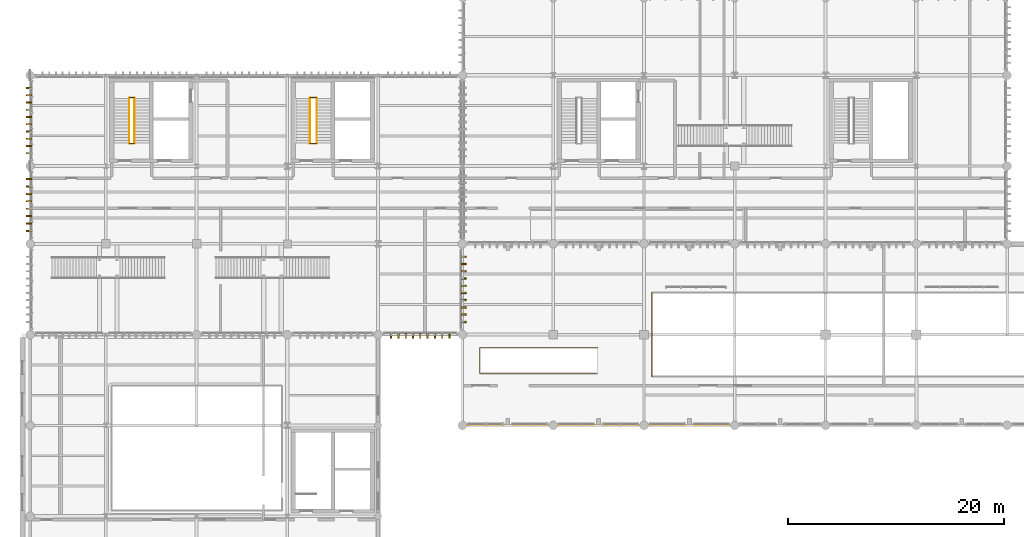
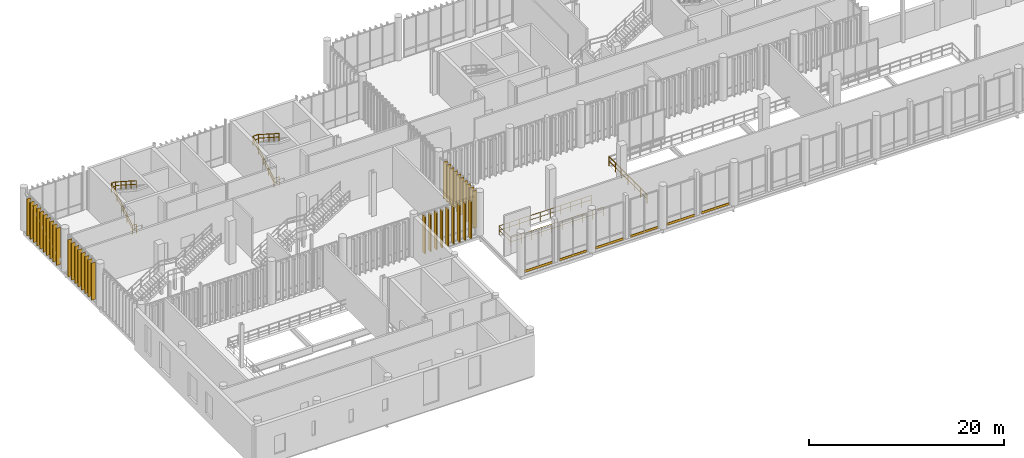
# One storey, part 120 of 128: 43 coverings, 10 railings.
"""IFC4 building model written with IfcOpenShell, lengths in metres."""

from ifc_helpers import new_model, si_unit, direction, frame, frame_2d, origin_with_axes, origin_2d_with_axis, place, context, subcontext, project, spatial, rectangle, circle, extrude, material, type_object, element, save


model = new_model("IFC4")

# Units and contexts
model_context = context("Model", 3, precision=1e-05, world=origin_with_axes(), true_north=direction((0.0, 1.0)))
body_context = subcontext(model_context, "Body", "Model", "MODEL_VIEW")
ifc_project = project(units=[si_unit("LENGTHUNIT", "METRE"), si_unit("AREAUNIT", "SQUARE_METRE"), si_unit("VOLUMEUNIT", "CUBIC_METRE"), si_unit("PLANEANGLEUNIT", "RADIAN"), si_unit("MASSUNIT", "GRAM", prefix="KILO"), si_unit("THERMODYNAMICTEMPERATUREUNIT", "KELVIN")], contexts=[model_context])

# Site, building, storey
site_placement = place(None, origin_with_axes())
site = spatial("IfcSite", under=ifc_project, at=site_placement, CompositionType="ELEMENT")
building_placement = place(site_placement, origin_with_axes())
building = spatial("IfcBuilding", under=site, at=building_placement, Name="Montbau Bow Law Courts", CompositionType="ELEMENT")
storey_placement = place(building_placement, frame((0.0, 0.0, 5.4), z_axis=(0.0, 0.0, 1.0), x_axis=(1.0, 0.0, 0.0)))
storey = spatial("IfcBuildingStorey", under=building, at=storey_placement, Name="L01", CompositionType="ELEMENT", Elevation=5.4)

# Coverings
ifc_material_1 = material(Name="Polychrome Catalan Trencadis Glazed Ceramic Spandrel Cladding", Category="masonry")
covering_type_1 = type_object("IfcCoveringType", Name="CV-CLD-01", PredefinedType="CLADDING", material=ifc_material_1)
for number, where, z_axis, x_axis, name in (
    (1, (48.962, 22.3, 5.4), (0.0, 0.0, 1.0), (1.0, 0.0, 0.0), "CLD-L01-396:cov_3519"),
    (2, (53.038, 22.3, 5.4), (0.0, 0.0, 1.0), (1.0, 0.0, 0.0), "CLD-L01-397:cov_3520"),
    (3, (57.362, 22.3, 5.4), (0.0, 0.0, 1.0), (1.0, 0.0, 0.0), "CLD-L01-398:cov_3521"),
    (4, (61.438, 22.3, 5.4), (0.0, 0.0, 1.0), (1.0, 0.0, 0.0), "CLD-L01-399:cov_3522"),
    (5, (65.762, 22.3, 5.4), (0.0, 0.0, 1.0), (1.0, 0.0, 0.0), "CLD-L01-400:cov_3523"),
    (6, (69.838, 22.3, 5.4), (0.0, 0.0, 1.0), (1.0, 0.0, 0.0), "CLD-L01-401:cov_3524"),
):
    element("IfcCovering", number, at=place(None, frame(where, z_axis=z_axis, x_axis=x_axis)), inside=storey, type_object=covering_type_1, Name=name, PredefinedType="CLADDING", context=body_context, shape_type="SweptSolid", body=[
        extrude(rectangle(XDim=3.295, YDim=0.06, at=origin_2d_with_axis()), origin_with_axes(), (0.0, 0.0, 1.0), 0.28),
    ])
ifc_material_2 = material(Name="Freeze-Thaw Glazed Terracotta-Red Ceramic Vertical Louvre", Category="masonry")
covering_type_2 = type_object("IfcCoveringType", Name="CV-LVR-RED", PredefinedType="CLADDING", material=ifc_material_2)
for number, where, z_axis, x_axis, name in (
    (7, (40.192, 30.73, 5.4), (-1.0, 0.0, 0.0), (0.0, -1.0, 0.0), "CLV-L01-0191:cov_0236"),
    (8, (40.869, 30.73, 5.4), (-1.0, 0.0, 0.0), (0.0, -1.0, 0.0), "CLV-L01-0192:cov_0237"),
    (9, (41.546, 30.73, 5.4), (-1.0, 0.0, 0.0), (0.0, -1.0, 0.0), "CLV-L01-0193:cov_0238"),
    (10, (42.223, 30.73, 5.4), (-1.0, 0.0, 0.0), (0.0, -1.0, 0.0), "CLV-L01-0194:cov_0239"),
    (11, (42.9, 30.73, 5.4), (-1.0, 0.0, 0.0), (0.0, -1.0, 0.0), "CLV-L01-0195:cov_0240"),
    (12, (43.577, 30.73, 5.4), (-1.0, 0.0, 0.0), (0.0, -1.0, 0.0), "CLV-L01-0196:cov_0241"),
    (13, (44.254, 30.73, 5.4), (-1.0, 0.0, 0.0), (0.0, -1.0, 0.0), "CLV-L01-0197:cov_0242"),
    (14, (44.931, 30.73, 5.4), (-1.0, 0.0, 0.0), (0.0, -1.0, 0.0), "CLV-L01-0198:cov_0243"),
    (15, (45.608, 30.73, 5.4), (-1.0, 0.0, 0.0), (0.0, -1.0, 0.0), "CLV-L01-0199:cov_0244"),
    (16, (6.93, 40.201, 5.4), (0.0, 1.0, 0.0), (-1.0, 0.0, 0.0), "CLV-L01-0262:cov_0307"),
    (17, (6.93, 40.886, 5.4), (0.0, 1.0, 0.0), (-1.0, 0.0, 0.0), "CLV-L01-0263:cov_0308"),
    (18, (6.93, 41.572, 5.4), (0.0, 1.0, 0.0), (-1.0, 0.0, 0.0), "CLV-L01-0264:cov_0309"),
    (19, (6.93, 42.257, 5.4), (0.0, 1.0, 0.0), (-1.0, 0.0, 0.0), "CLV-L01-0265:cov_0310"),
    (20, (6.93, 42.943, 5.4), (0.0, 1.0, 0.0), (-1.0, 0.0, 0.0), "CLV-L01-0266:cov_0311"),
    (21, (6.93, 43.628, 5.4), (0.0, 1.0, 0.0), (-1.0, 0.0, 0.0), "CLV-L01-0267:cov_0312"),
    (22, (6.93, 44.314, 5.4), (0.0, 1.0, 0.0), (-1.0, 0.0, 0.0), "CLV-L01-0268:cov_0313"),
    (23, (6.93, 44.999, 5.4), (0.0, 1.0, 0.0), (-1.0, 0.0, 0.0), "CLV-L01-0269:cov_0314"),
    (24, (6.93, 47.385, 5.4), (0.0, 1.0, 0.0), (-1.0, 0.0, 0.0), "CLV-L01-0270:cov_0315"),
    (25, (6.93, 48.055, 5.4), (0.0, 1.0, 0.0), (-1.0, 0.0, 0.0), "CLV-L01-0271:cov_0316"),
    (26, (6.93, 48.725, 5.4), (0.0, 1.0, 0.0), (-1.0, 0.0, 0.0), "CLV-L01-0272:cov_0317"),
    (27, (6.93, 49.395, 5.4), (0.0, 1.0, 0.0), (-1.0, 0.0, 0.0), "CLV-L01-0273:cov_0318"),
    (28, (6.93, 50.065, 5.4), (0.0, 1.0, 0.0), (-1.0, 0.0, 0.0), "CLV-L01-0274:cov_0319"),
    (29, (6.93, 50.735, 5.4), (0.0, 1.0, 0.0), (-1.0, 0.0, 0.0), "CLV-L01-0275:cov_0320"),
    (30, (6.93, 51.405, 5.4), (0.0, 1.0, 0.0), (-1.0, 0.0, 0.0), "CLV-L01-0276:cov_0321"),
    (31, (6.93, 52.075, 5.4), (0.0, 1.0, 0.0), (-1.0, 0.0, 0.0), "CLV-L01-0277:cov_0322"),
    (32, (6.93, 52.745, 5.4), (0.0, 1.0, 0.0), (-1.0, 0.0, 0.0), "CLV-L01-0278:cov_0323"),
    (33, (6.93, 53.415, 5.4), (0.0, 1.0, 0.0), (-1.0, 0.0, 0.0), "CLV-L01-0279:cov_0324"),
    (34, (46.67, 31.785, 5.4), (0.0, -1.0, 0.0), (1.0, 0.0, 0.0), "CLV-L01-0280:cov_0325"),
    (35, (46.67, 32.455, 5.4), (0.0, -1.0, 0.0), (1.0, 0.0, 0.0), "CLV-L01-0281:cov_0326"),
    (36, (46.67, 33.125, 5.4), (0.0, -1.0, 0.0), (1.0, 0.0, 0.0), "CLV-L01-0282:cov_0327"),
    (37, (46.67, 33.795, 5.4), (0.0, -1.0, 0.0), (1.0, 0.0, 0.0), "CLV-L01-0283:cov_0328"),
    (38, (46.67, 34.465, 5.4), (0.0, -1.0, 0.0), (1.0, 0.0, 0.0), "CLV-L01-0284:cov_0329"),
    (39, (46.67, 35.135, 5.4), (0.0, -1.0, 0.0), (1.0, 0.0, 0.0), "CLV-L01-0285:cov_0330"),
    (40, (46.67, 35.805, 5.4), (0.0, -1.0, 0.0), (1.0, 0.0, 0.0), "CLV-L01-0286:cov_0331"),
    (41, (46.67, 36.475, 5.4), (0.0, -1.0, 0.0), (1.0, 0.0, 0.0), "CLV-L01-0287:cov_0332"),
    (42, (46.67, 37.145, 5.4), (0.0, -1.0, 0.0), (1.0, 0.0, 0.0), "CLV-L01-0288:cov_0333"),
    (43, (46.67, 37.815, 5.4), (0.0, -1.0, 0.0), (1.0, 0.0, 0.0), "CLV-L01-0289:cov_0334"),
):
    element("IfcCovering", number, at=place(None, frame(where, z_axis=z_axis, x_axis=x_axis)), inside=storey, type_object=covering_type_2, Name=name, PredefinedType="CLADDING", context=body_context, shape_type="SweptSolid", body=[
        extrude(rectangle(XDim=0.48, YDim=4.64, at=frame_2d((0.24, 2.32), x_axis=(1.0, 0.0))), frame((0.0, 0.0, -0.06), z_axis=(0.0, 0.0, 1.0), x_axis=(1.0, 0.0, 0.0)), (0.0, 0.0, 1.0), 0.12),
    ])

# Railings
ifc_material_3 = material(Name="Laminated Glass and Bronze Gallery Balustrade", Category="glass")
railing_type_1 = type_object("IfcRailingType", Name="RL-BAL-1120", PredefinedType="BALUSTRADE", material=ifc_material_3)
railing_1_placement = place(None, origin_with_axes())
element("IfcRailing", 44, at=railing_1_placement, inside=storey, type_object=railing_type_1, Name="GRD-OPEN-ST-GRD-01:rlg_0273", PredefinedType="BALUSTRADE", context=body_context, shape_type="SweptSolid", body=[
    extrude(circle(Radius=0.025, at=origin_2d_with_axis()), frame((59.3, 27.0, 6.522), z_axis=(-1.0, 0.0, 0.0), x_axis=(0.0, 0.0, 1.0)), (0.0, 0.0, 1.0), 10.8675),
    extrude(circle(Radius=0.022500000000000003, at=origin_2d_with_axis()), frame((59.3, 27.0, 5.9824), z_axis=(-1.0, 0.0, 0.0), x_axis=(0.0, 0.0, 1.0)), (0.0, 0.0, 1.0), 10.8675),
    extrude(circle(Radius=0.022500000000000003, at=origin_2d_with_axis()), frame((59.3, 27.0, 5.4), z_axis=(0.0, 0.0, 1.0), x_axis=(1.0, 0.0, 0.0)), (0.0, 0.0, 1.0), 1.0925),
    extrude(circle(Radius=0.022500000000000003, at=origin_2d_with_axis()), frame((58.088889, 27.0, 5.4), z_axis=(0.0, 0.0, 1.0), x_axis=(1.0, 0.0, 0.0)), (0.0, 0.0, 1.0), 1.0925),
    extrude(circle(Radius=0.022500000000000003, at=origin_2d_with_axis()), frame((56.877778, 27.0, 5.4), z_axis=(0.0, 0.0, 1.0), x_axis=(1.0, 0.0, 0.0)), (0.0, 0.0, 1.0), 1.0925),
    extrude(circle(Radius=0.022500000000000003, at=origin_2d_with_axis()), frame((55.666667, 27.0, 5.4), z_axis=(0.0, 0.0, 1.0), x_axis=(1.0, 0.0, 0.0)), (0.0, 0.0, 1.0), 1.0925),
    extrude(circle(Radius=0.022500000000000003, at=origin_2d_with_axis()), frame((54.455556, 27.0, 5.4), z_axis=(0.0, 0.0, 1.0), x_axis=(1.0, 0.0, 0.0)), (0.0, 0.0, 1.0), 1.0925),
    extrude(circle(Radius=0.022500000000000003, at=origin_2d_with_axis()), frame((53.244444, 27.0, 5.4), z_axis=(0.0, 0.0, 1.0), x_axis=(1.0, 0.0, 0.0)), (0.0, 0.0, 1.0), 1.0925),
    extrude(circle(Radius=0.022500000000000003, at=origin_2d_with_axis()), frame((52.033333, 27.0, 5.4), z_axis=(0.0, 0.0, 1.0), x_axis=(1.0, 0.0, 0.0)), (0.0, 0.0, 1.0), 1.0925),
    extrude(circle(Radius=0.022500000000000003, at=origin_2d_with_axis()), frame((50.822222, 27.0, 5.4), z_axis=(0.0, 0.0, 1.0), x_axis=(1.0, 0.0, 0.0)), (0.0, 0.0, 1.0), 1.0925),
    extrude(circle(Radius=0.022500000000000003, at=origin_2d_with_axis()), frame((49.611111, 27.0, 5.4), z_axis=(0.0, 0.0, 1.0), x_axis=(1.0, 0.0, 0.0)), (0.0, 0.0, 1.0), 1.0925),
    extrude(circle(Radius=0.022500000000000003, at=origin_2d_with_axis()), frame((48.4, 27.0, 5.4), z_axis=(0.0, 0.0, 1.0), x_axis=(1.0, 0.0, 0.0)), (0.0, 0.0, 1.0), 1.0925),
    extrude(circle(Radius=0.025, at=origin_2d_with_axis()), frame((48.4, 27.0325, 6.522), z_axis=(0.0, 1.0, 0.0), x_axis=(0.0, 0.0, 1.0)), (0.0, 0.0, 1.0), 2.335),
    extrude(circle(Radius=0.022500000000000003, at=origin_2d_with_axis()), frame((48.4, 27.0325, 5.9824), z_axis=(0.0, 1.0, 0.0), x_axis=(0.0, 0.0, 1.0)), (0.0, 0.0, 1.0), 2.335),
    extrude(circle(Radius=0.022500000000000003, at=origin_2d_with_axis()), frame((48.4, 29.4, 5.4), z_axis=(0.0, 0.0, 1.0), x_axis=(1.0, 0.0, 0.0)), (0.0, 0.0, 1.0), 1.0925),
    extrude(circle(Radius=0.025, at=origin_2d_with_axis()), frame((48.4325, 29.4, 6.522), z_axis=(1.0, 0.0, 0.0), x_axis=(0.0, 0.0, 1.0)), (0.0, 0.0, 1.0), 10.8675),
    extrude(circle(Radius=0.022500000000000003, at=origin_2d_with_axis()), frame((48.4325, 29.4, 5.9824), z_axis=(1.0, 0.0, 0.0), x_axis=(0.0, 0.0, 1.0)), (0.0, 0.0, 1.0), 10.8675),
    extrude(circle(Radius=0.022500000000000003, at=origin_2d_with_axis()), frame((49.611111, 29.4, 5.4), z_axis=(0.0, 0.0, 1.0), x_axis=(1.0, 0.0, 0.0)), (0.0, 0.0, 1.0), 1.0925),
    extrude(circle(Radius=0.022500000000000003, at=origin_2d_with_axis()), frame((50.822222, 29.4, 5.4), z_axis=(0.0, 0.0, 1.0), x_axis=(1.0, 0.0, 0.0)), (0.0, 0.0, 1.0), 1.0925),
    extrude(circle(Radius=0.022500000000000003, at=origin_2d_with_axis()), frame((52.033333, 29.4, 5.4), z_axis=(0.0, 0.0, 1.0), x_axis=(1.0, 0.0, 0.0)), (0.0, 0.0, 1.0), 1.0925),
    extrude(circle(Radius=0.022500000000000003, at=origin_2d_with_axis()), frame((53.244444, 29.4, 5.4), z_axis=(0.0, 0.0, 1.0), x_axis=(1.0, 0.0, 0.0)), (0.0, 0.0, 1.0), 1.0925),
    extrude(circle(Radius=0.022500000000000003, at=origin_2d_with_axis()), frame((54.455556, 29.4, 5.4), z_axis=(0.0, 0.0, 1.0), x_axis=(1.0, 0.0, 0.0)), (0.0, 0.0, 1.0), 1.0925),
    extrude(circle(Radius=0.022500000000000003, at=origin_2d_with_axis()), frame((55.666667, 29.4, 5.4), z_axis=(0.0, 0.0, 1.0), x_axis=(1.0, 0.0, 0.0)), (0.0, 0.0, 1.0), 1.0925),
    extrude(circle(Radius=0.022500000000000003, at=origin_2d_with_axis()), frame((56.877778, 29.4, 5.4), z_axis=(0.0, 0.0, 1.0), x_axis=(1.0, 0.0, 0.0)), (0.0, 0.0, 1.0), 1.0925),
    extrude(circle(Radius=0.022500000000000003, at=origin_2d_with_axis()), frame((58.088889, 29.4, 5.4), z_axis=(0.0, 0.0, 1.0), x_axis=(1.0, 0.0, 0.0)), (0.0, 0.0, 1.0), 1.0925),
    extrude(circle(Radius=0.022500000000000003, at=origin_2d_with_axis()), frame((59.3, 29.4, 5.4), z_axis=(0.0, 0.0, 1.0), x_axis=(1.0, 0.0, 0.0)), (0.0, 0.0, 1.0), 1.0925),
])
railing_2_placement = place(None, origin_with_axes())
element("IfcRailing", 45, at=railing_2_placement, inside=storey, type_object=railing_type_1, Name="BAL-VOID-WGC-L01-W:rlg_0318", PredefinedType="BALUSTRADE", context=body_context, shape_type="SweptSolid", body=[
    extrude(circle(Radius=0.025, at=origin_2d_with_axis()), frame((64.32, 34.48, 6.522), z_axis=(0.0, -1.0, 0.0), x_axis=(0.0, 0.0, 1.0)), (0.0, 0.0, 1.0), 7.76),
    extrude(circle(Radius=0.022500000000000003, at=origin_2d_with_axis()), frame((64.32, 34.48, 5.9824), z_axis=(0.0, -1.0, 0.0), x_axis=(0.0, 0.0, 1.0)), (0.0, 0.0, 1.0), 7.76),
    extrude(circle(Radius=0.022500000000000003, at=origin_2d_with_axis()), frame((64.32, 34.48, 5.4), z_axis=(0.0, 0.0, 1.0), x_axis=(1.0, 0.0, 0.0)), (0.0, 0.0, 1.0), 1.0925),
    extrude(circle(Radius=0.022500000000000003, at=origin_2d_with_axis()), frame((64.32, 33.186667, 5.4), z_axis=(0.0, 0.0, 1.0), x_axis=(1.0, 0.0, 0.0)), (0.0, 0.0, 1.0), 1.0925),
    extrude(circle(Radius=0.022500000000000003, at=origin_2d_with_axis()), frame((64.32, 31.893333, 5.4), z_axis=(0.0, 0.0, 1.0), x_axis=(1.0, 0.0, 0.0)), (0.0, 0.0, 1.0), 1.0925),
    extrude(circle(Radius=0.022500000000000003, at=origin_2d_with_axis()), frame((64.32, 30.6, 5.4), z_axis=(0.0, 0.0, 1.0), x_axis=(1.0, 0.0, 0.0)), (0.0, 0.0, 1.0), 1.0925),
    extrude(circle(Radius=0.022500000000000003, at=origin_2d_with_axis()), frame((64.32, 29.306667, 5.4), z_axis=(0.0, 0.0, 1.0), x_axis=(1.0, 0.0, 0.0)), (0.0, 0.0, 1.0), 1.0925),
    extrude(circle(Radius=0.022500000000000003, at=origin_2d_with_axis()), frame((64.32, 28.013333, 5.4), z_axis=(0.0, 0.0, 1.0), x_axis=(1.0, 0.0, 0.0)), (0.0, 0.0, 1.0), 1.0925),
    extrude(circle(Radius=0.022500000000000003, at=origin_2d_with_axis()), frame((64.32, 26.72, 5.4), z_axis=(0.0, 0.0, 1.0), x_axis=(1.0, 0.0, 0.0)), (0.0, 0.0, 1.0), 1.0925),
])
ifc_material_4 = material(Name="Architectural Bronze-Finished Steel Stair Guard", Category="steel")
railing_type_2 = type_object("IfcRailingType", Name="RL-GRD-1100", PredefinedType="GUARDRAIL", material=ifc_material_4)
railing_3_placement = place(None, origin_with_axes())
element("IfcRailing", 46, at=railing_3_placement, inside=storey, type_object=railing_type_2, Name="SG-ST-P1-L01-ML:rlg_0040", PredefinedType="GUARDRAIL", context=body_context, shape_type="SweptSolid", body=[
    extrude(circle(Radius=0.0225, at=origin_2d_with_axis()), frame((15.97, 52.53, 9.202), z_axis=(1.0, 0.0, 0.0), x_axis=(0.0, 0.0, 1.0)), (0.0, 0.0, 1.0), 0.47),
    extrude(circle(Radius=0.02025, at=origin_2d_with_axis()), frame((15.97, 52.53, 8.672), z_axis=(1.0, 0.0, 0.0), x_axis=(0.0, 0.0, 1.0)), (0.0, 0.0, 1.0), 0.47),
    extrude(circle(Radius=0.02025, at=origin_2d_with_axis()), frame((15.97, 52.53, 8.1), z_axis=(0.0, 0.0, 1.0), x_axis=(1.0, 0.0, 0.0)), (0.0, 0.0, 1.0), 1.07525),
    extrude(circle(Radius=0.02025, at=origin_2d_with_axis()), frame((16.44, 52.53, 8.1), z_axis=(0.0, 0.0, 1.0), x_axis=(1.0, 0.0, 0.0)), (0.0, 0.0, 1.0), 1.07525),
])
railing_4_placement = place(None, origin_with_axes())
element("IfcRailing", 47, at=railing_4_placement, inside=storey, type_object=railing_type_2, Name="SG-ST-P1-L01-BL:rlg_0041", PredefinedType="GUARDRAIL", context=body_context, shape_type="SweptSolid", body=[
    extrude(circle(Radius=0.0225, at=origin_2d_with_axis()), frame((15.97, 48.27, 6.502), z_axis=(1.0, 0.0, 0.0), x_axis=(0.0, 0.0, 1.0)), (0.0, 0.0, 1.0), 0.47),
    extrude(circle(Radius=0.02025, at=origin_2d_with_axis()), frame((15.97, 48.27, 5.972), z_axis=(1.0, 0.0, 0.0), x_axis=(0.0, 0.0, 1.0)), (0.0, 0.0, 1.0), 0.47),
    extrude(circle(Radius=0.02025, at=origin_2d_with_axis()), frame((15.97, 48.27, 5.4), z_axis=(0.0, 0.0, 1.0), x_axis=(1.0, 0.0, 0.0)), (0.0, 0.0, 1.0), 1.07525),
    extrude(circle(Radius=0.02025, at=origin_2d_with_axis()), frame((16.44, 48.27, 5.4), z_axis=(0.0, 0.0, 1.0), x_axis=(1.0, 0.0, 0.0)), (0.0, 0.0, 1.0), 1.07525),
])
railing_5_placement = place(None, origin_with_axes())
element("IfcRailing", 48, at=railing_5_placement, inside=storey, type_object=railing_type_2, Name="SG-ST-J1-L01-ML:rlg_0072", PredefinedType="GUARDRAIL", context=body_context, shape_type="SweptSolid", body=[
    extrude(circle(Radius=0.0225, at=origin_2d_with_axis()), frame((32.69, 52.53, 9.202), z_axis=(1.0, 0.0, 0.0), x_axis=(0.0, 0.0, 1.0)), (0.0, 0.0, 1.0), 0.63),
    extrude(circle(Radius=0.02025, at=origin_2d_with_axis()), frame((32.69, 52.53, 8.672), z_axis=(1.0, 0.0, 0.0), x_axis=(0.0, 0.0, 1.0)), (0.0, 0.0, 1.0), 0.63),
    extrude(circle(Radius=0.02025, at=origin_2d_with_axis()), frame((32.69, 52.53, 8.1), z_axis=(0.0, 0.0, 1.0), x_axis=(1.0, 0.0, 0.0)), (0.0, 0.0, 1.0), 1.07525),
    extrude(circle(Radius=0.02025, at=origin_2d_with_axis()), frame((33.32, 52.53, 8.1), z_axis=(0.0, 0.0, 1.0), x_axis=(1.0, 0.0, 0.0)), (0.0, 0.0, 1.0), 1.07525),
])
railing_6_placement = place(None, origin_with_axes())
element("IfcRailing", 49, at=railing_6_placement, inside=storey, type_object=railing_type_2, Name="SG-ST-J1-L01-BL:rlg_0073", PredefinedType="GUARDRAIL", context=body_context, shape_type="SweptSolid", body=[
    extrude(circle(Radius=0.0225, at=origin_2d_with_axis()), frame((32.69, 48.27, 6.502), z_axis=(1.0, 0.0, 0.0), x_axis=(0.0, 0.0, 1.0)), (0.0, 0.0, 1.0), 0.63),
    extrude(circle(Radius=0.02025, at=origin_2d_with_axis()), frame((32.69, 48.27, 5.972), z_axis=(1.0, 0.0, 0.0), x_axis=(0.0, 0.0, 1.0)), (0.0, 0.0, 1.0), 0.63),
    extrude(circle(Radius=0.02025, at=origin_2d_with_axis()), frame((32.69, 48.27, 5.4), z_axis=(0.0, 0.0, 1.0), x_axis=(1.0, 0.0, 0.0)), (0.0, 0.0, 1.0), 1.07525),
    extrude(circle(Radius=0.02025, at=origin_2d_with_axis()), frame((33.32, 48.27, 5.4), z_axis=(0.0, 0.0, 1.0), x_axis=(1.0, 0.0, 0.0)), (0.0, 0.0, 1.0), 1.07525),
])
ifc_material_5 = material(Name="White-Oak and Stainless Continuous Stair Handrail", Category="steel")
railing_type_3 = type_object("IfcRailingType", Name="RL-HND-0920", PredefinedType="HANDRAIL", material=ifc_material_5)
railing_7_placement = place(None, origin_with_axes())
element("IfcRailing", 50, at=railing_7_placement, inside=storey, type_object=railing_type_3, Name="HR-ST-P1-L01-1:rlg_0042", PredefinedType="HANDRAIL", context=body_context, shape_type="SweptSolid", body=[
    extrude(circle(Radius=0.021, at=origin_2d_with_axis()), frame((15.97, 48.3, 6.502), z_axis=(0.0, 0.841178475, 0.540757591), x_axis=(0.0, -0.540757591, 0.841178475)), (0.0, 0.0, 1.0), 4.992995),
    extrude(circle(Radius=0.0189, at=origin_2d_with_axis()), frame((15.97, 48.3, 6.0584), z_axis=(0.0, 0.841178475, 0.540757591), x_axis=(0.0, -0.540757591, 0.841178475)), (0.0, 0.0, 1.0), 4.992995),
    extrude(circle(Radius=0.0189, at=origin_2d_with_axis()), frame((15.97, 48.3, 5.58), z_axis=(0.0, 0.0, 1.0), x_axis=(1.0, 0.0, 0.0)), (0.0, 0.0, 1.0), 0.8969),
    extrude(circle(Radius=0.0189, at=origin_2d_with_axis()), frame((15.97, 49.35, 6.255), z_axis=(0.0, 0.0, 1.0), x_axis=(1.0, 0.0, 0.0)), (0.0, 0.0, 1.0), 0.8969),
    extrude(circle(Radius=0.0189, at=origin_2d_with_axis()), frame((15.97, 50.4, 6.93), z_axis=(0.0, 0.0, 1.0), x_axis=(1.0, 0.0, 0.0)), (0.0, 0.0, 1.0), 0.8969),
    extrude(circle(Radius=0.0189, at=origin_2d_with_axis()), frame((15.97, 51.45, 7.605), z_axis=(0.0, 0.0, 1.0), x_axis=(1.0, 0.0, 0.0)), (0.0, 0.0, 1.0), 0.8969),
    extrude(circle(Radius=0.0189, at=origin_2d_with_axis()), frame((15.97, 52.5, 8.28), z_axis=(0.0, 0.0, 1.0), x_axis=(1.0, 0.0, 0.0)), (0.0, 0.0, 1.0), 0.8969),
])
railing_8_placement = place(None, origin_with_axes())
element("IfcRailing", 51, at=railing_8_placement, inside=storey, type_object=railing_type_3, Name="HR-ST-P1-L01-2:rlg_0043", PredefinedType="HANDRAIL", context=body_context, shape_type="SweptSolid", body=[
    extrude(circle(Radius=0.021, at=origin_2d_with_axis()), frame((16.44, 52.5, 9.202), z_axis=(0.0, -0.841178475, 0.540757591), x_axis=(0.0, 0.540757591, 0.841178475)), (0.0, 0.0, 1.0), 4.992995),
    extrude(circle(Radius=0.0189, at=origin_2d_with_axis()), frame((16.44, 52.5, 8.7584), z_axis=(0.0, -0.841178475, 0.540757591), x_axis=(0.0, 0.540757591, 0.841178475)), (0.0, 0.0, 1.0), 4.992995),
    extrude(circle(Radius=0.0189, at=origin_2d_with_axis()), frame((16.44, 52.5, 8.28), z_axis=(0.0, 0.0, 1.0), x_axis=(1.0, 0.0, 0.0)), (0.0, 0.0, 1.0), 0.8969),
    extrude(circle(Radius=0.0189, at=origin_2d_with_axis()), frame((16.44, 51.45, 8.955), z_axis=(0.0, 0.0, 1.0), x_axis=(1.0, 0.0, 0.0)), (0.0, 0.0, 1.0), 0.8969),
    extrude(circle(Radius=0.0189, at=origin_2d_with_axis()), frame((16.44, 50.4, 9.63), z_axis=(0.0, 0.0, 1.0), x_axis=(1.0, 0.0, 0.0)), (0.0, 0.0, 1.0), 0.8969),
    extrude(circle(Radius=0.0189, at=origin_2d_with_axis()), frame((16.44, 49.35, 10.305), z_axis=(0.0, 0.0, 1.0), x_axis=(1.0, 0.0, 0.0)), (0.0, 0.0, 1.0), 0.8969),
    extrude(circle(Radius=0.0189, at=origin_2d_with_axis()), frame((16.44, 48.3, 10.98), z_axis=(0.0, 0.0, 1.0), x_axis=(1.0, 0.0, 0.0)), (0.0, 0.0, 1.0), 0.8969),
])
railing_9_placement = place(None, origin_with_axes())
element("IfcRailing", 52, at=railing_9_placement, inside=storey, type_object=railing_type_3, Name="HR-ST-J1-L01-1:rlg_0074", PredefinedType="HANDRAIL", context=body_context, shape_type="SweptSolid", body=[
    extrude(circle(Radius=0.021, at=origin_2d_with_axis()), frame((32.69, 48.3, 6.502), z_axis=(0.0, 0.841178475, 0.540757591), x_axis=(0.0, -0.540757591, 0.841178475)), (0.0, 0.0, 1.0), 4.992995),
    extrude(circle(Radius=0.0189, at=origin_2d_with_axis()), frame((32.69, 48.3, 6.0584), z_axis=(0.0, 0.841178475, 0.540757591), x_axis=(0.0, -0.540757591, 0.841178475)), (0.0, 0.0, 1.0), 4.992995),
    extrude(circle(Radius=0.0189, at=origin_2d_with_axis()), frame((32.69, 48.3, 5.58), z_axis=(0.0, 0.0, 1.0), x_axis=(1.0, 0.0, 0.0)), (0.0, 0.0, 1.0), 0.8969),
    extrude(circle(Radius=0.0189, at=origin_2d_with_axis()), frame((32.69, 49.35, 6.255), z_axis=(0.0, 0.0, 1.0), x_axis=(1.0, 0.0, 0.0)), (0.0, 0.0, 1.0), 0.8969),
    extrude(circle(Radius=0.0189, at=origin_2d_with_axis()), frame((32.69, 50.4, 6.93), z_axis=(0.0, 0.0, 1.0), x_axis=(1.0, 0.0, 0.0)), (0.0, 0.0, 1.0), 0.8969),
    extrude(circle(Radius=0.0189, at=origin_2d_with_axis()), frame((32.69, 51.45, 7.605), z_axis=(0.0, 0.0, 1.0), x_axis=(1.0, 0.0, 0.0)), (0.0, 0.0, 1.0), 0.8969),
    extrude(circle(Radius=0.0189, at=origin_2d_with_axis()), frame((32.69, 52.5, 8.28), z_axis=(0.0, 0.0, 1.0), x_axis=(1.0, 0.0, 0.0)), (0.0, 0.0, 1.0), 0.8969),
])
railing_10_placement = place(None, origin_with_axes())
element("IfcRailing", 53, at=railing_10_placement, inside=storey, type_object=railing_type_3, Name="HR-ST-J1-L01-2:rlg_0075", PredefinedType="HANDRAIL", context=body_context, shape_type="SweptSolid", body=[
    extrude(circle(Radius=0.021, at=origin_2d_with_axis()), frame((33.32, 52.5, 9.202), z_axis=(0.0, -0.841178475, 0.540757591), x_axis=(0.0, 0.540757591, 0.841178475)), (0.0, 0.0, 1.0), 4.992995),
    extrude(circle(Radius=0.0189, at=origin_2d_with_axis()), frame((33.32, 52.5, 8.7584), z_axis=(0.0, -0.841178475, 0.540757591), x_axis=(0.0, 0.540757591, 0.841178475)), (0.0, 0.0, 1.0), 4.992995),
    extrude(circle(Radius=0.0189, at=origin_2d_with_axis()), frame((33.32, 52.5, 8.28), z_axis=(0.0, 0.0, 1.0), x_axis=(1.0, 0.0, 0.0)), (0.0, 0.0, 1.0), 0.8969),
    extrude(circle(Radius=0.0189, at=origin_2d_with_axis()), frame((33.32, 51.45, 8.955), z_axis=(0.0, 0.0, 1.0), x_axis=(1.0, 0.0, 0.0)), (0.0, 0.0, 1.0), 0.8969),
    extrude(circle(Radius=0.0189, at=origin_2d_with_axis()), frame((33.32, 50.4, 9.63), z_axis=(0.0, 0.0, 1.0), x_axis=(1.0, 0.0, 0.0)), (0.0, 0.0, 1.0), 0.8969),
    extrude(circle(Radius=0.0189, at=origin_2d_with_axis()), frame((33.32, 49.35, 10.305), z_axis=(0.0, 0.0, 1.0), x_axis=(1.0, 0.0, 0.0)), (0.0, 0.0, 1.0), 0.8969),
    extrude(circle(Radius=0.0189, at=origin_2d_with_axis()), frame((33.32, 48.3, 10.98), z_axis=(0.0, 0.0, 1.0), x_axis=(1.0, 0.0, 0.0)), (0.0, 0.0, 1.0), 0.8969),
])

save(model, "model.ifc")
